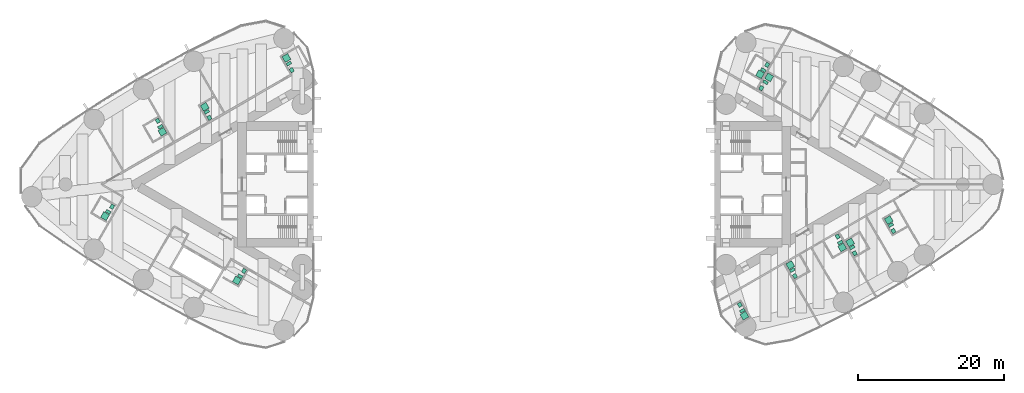
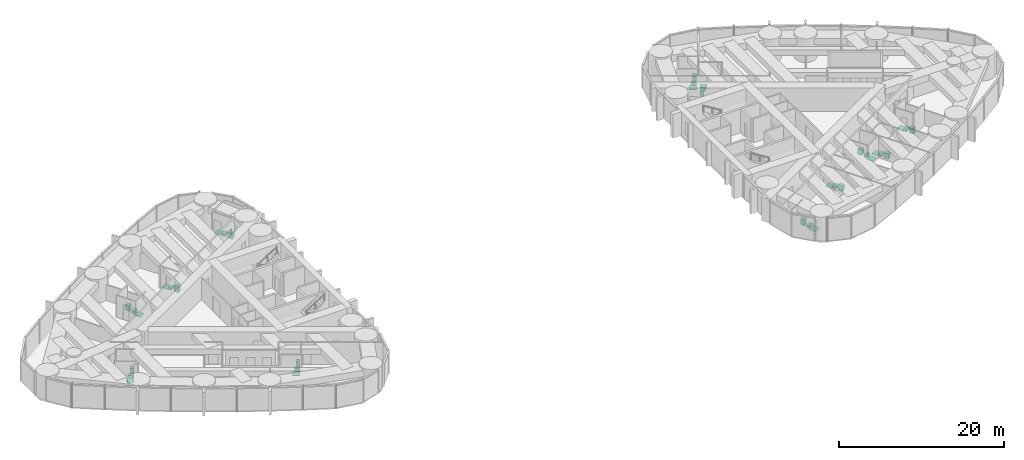
# One storey, part 19 of 19: 16 sanitary terminals.
"""IFC4 building model written with IfcOpenShell, lengths in metres."""

from ifc_helpers import new_model, si_unit, direction, frame, origin, origin_2d, place, context, subcontext, project, spatial, rectangle, extrude, material, type_object, element, save


model = new_model("IFC4")

# Units and contexts
model_context = context("Model", 3, precision=1e-05, world=origin(), true_north=direction((0.0, 1.0)))
body_context = subcontext(model_context, "Body", "Model", "MODEL_VIEW")
ifc_project = project(units=[si_unit("LENGTHUNIT", "METRE"), si_unit("AREAUNIT", "SQUARE_METRE"), si_unit("VOLUMEUNIT", "CUBIC_METRE"), si_unit("PLANEANGLEUNIT", "RADIAN"), si_unit("MASSUNIT", "GRAM", prefix="KILO")], contexts=[model_context])

# Site, building, storey
site_placement = place(None, origin())
site = spatial("IfcSite", under=ifc_project, at=site_placement, CompositionType="ELEMENT")
building_placement = place(site_placement, origin())
building = spatial("IfcBuilding", under=site, at=building_placement, Name="Lancet Gate Hotel", CompositionType="ELEMENT")
storey_placement = place(building_placement, frame((0.0, 0.0, 194.800048828125)))
storey = spatial("IfcBuildingStorey", under=building, at=storey_placement, Name="L52", CompositionType="ELEMENT", Elevation=194.800048828125)

# Sanitary terminals
ifc_material_1 = material(Name="Vitreous china sanitary ware")
sanitary_terminal_type_1 = type_object("IfcSanitaryTerminalType", Name="En-suite sanitary set (shower, WC, basin)", PredefinedType="USERDEFINED", material=ifc_material_1)
sanitary_terminal_1_placement = place(storey_placement, frame((-42.419189453125, 10.628662109375, 0.0), z_axis=(0.0, 0.0, 1.0), x_axis=(1.0, 0.0, 0.0)))
element("IfcSanitaryTerminal", 1, at=sanitary_terminal_1_placement, inside=storey, type_object=sanitary_terminal_type_1, Name="En-suite sanitary set (shower, WC, basin) 5202", ObjectType="EN-SUITE SANITARY SET", PredefinedType="USERDEFINED", context=body_context, shape_type="SweptSolid", body=[
    extrude(rectangle(XDim=0.89990234375, YDim=0.89990234375, at=origin_2d()), frame((0.0, 0.0, 0.0), z_axis=(0.0, 0.0, 1.0), x_axis=(-0.5, 0.866025403784, 0.0)), (0.0, 0.0, 1.0), 0.050048828125),
    extrude(rectangle(XDim=0.39990234375, YDim=0.699951171875, at=origin_2d()), frame((0.278564453125, -0.682373046875, 0.0), z_axis=(0.0, 0.0, 1.0), x_axis=(-0.5, 0.866025403784, 0.0)), (0.0, 0.0, 1.0), 0.39990234375),
    extrude(rectangle(XDim=0.60009765625, YDim=0.5, at=origin_2d()), frame((0.6318359375, -1.494384765625, 0.0), z_axis=(0.0, 0.0, 1.0), x_axis=(-0.5, 0.866025403784, 0.0)), (0.0, 0.0, 1.0), 0.85009765625),
])
sanitary_terminal_2_placement = place(storey_placement, frame((-48.222412109375, 7.208740234375, 0.0), z_axis=(0.0, 0.0, 1.0), x_axis=(1.0, 0.0, 0.0)))
element("IfcSanitaryTerminal", 2, at=sanitary_terminal_2_placement, inside=storey, type_object=sanitary_terminal_type_1, Name="En-suite sanitary set (shower, WC, basin) 5203", ObjectType="EN-SUITE SANITARY SET", PredefinedType="USERDEFINED", context=body_context, shape_type="SweptSolid", body=[
    extrude(rectangle(XDim=0.89990234375, YDim=0.89990234375, at=origin_2d()), frame((0.0, 0.0, 0.0), z_axis=(0.0, 0.0, 1.0), x_axis=(0.5, -0.866025403784, 0.0)), (0.0, 0.0, 1.0), 0.050048828125),
    extrude(rectangle(XDim=0.39990234375, YDim=0.699951171875, at=origin_2d()), frame((-0.2783203125, 0.68212890625, 0.0), z_axis=(0.0, 0.0, 1.0), x_axis=(0.5, -0.866025403784, 0.0)), (0.0, 0.0, 1.0), 0.39990234375),
    extrude(rectangle(XDim=0.60009765625, YDim=0.5, at=origin_2d()), frame((-0.6318359375, 1.494140625, 0.0), z_axis=(0.0, 0.0, 1.0), x_axis=(0.5, -0.866025403784, 0.0)), (0.0, 0.0, 1.0), 0.85009765625),
])
sanitary_terminal_3_placement = place(storey_placement, frame((-56.092041015625, -4.35107421875, 0.0), z_axis=(0.0, 0.0, 1.0), x_axis=(1.0, 0.0, 0.0)))
element("IfcSanitaryTerminal", 3, at=sanitary_terminal_3_placement, inside=storey, type_object=sanitary_terminal_type_1, Name="En-suite sanitary set (shower, WC, basin) 5205", ObjectType="EN-SUITE SANITARY SET", PredefinedType="USERDEFINED", context=body_context, shape_type="SweptSolid", body=[
    extrude(rectangle(XDim=0.89990234375, YDim=0.89990234375, at=origin_2d()), frame((0.0, 0.0, 0.0), z_axis=(0.0, 0.0, 1.0), x_axis=(-0.5, -0.866025403784, 0.0)), (0.0, 0.0, 1.0), 0.050048828125),
    extrude(rectangle(XDim=0.39990234375, YDim=0.699951171875, at=origin_2d()), frame((0.45166015625, 0.582275390625, 0.0), z_axis=(0.0, 0.0, 1.0), x_axis=(-0.5, -0.866025403784, 0.0)), (0.0, 0.0, 1.0), 0.39990234375),
    extrude(rectangle(XDim=0.60009765625, YDim=0.5, at=origin_2d()), frame((0.97802734375, 1.29443359375, 0.0), z_axis=(0.0, 0.0, 1.0), x_axis=(-0.5, -0.866025403784, 0.0)), (0.0, 0.0, 1.0), 0.85009765625),
])
sanitary_terminal_4_placement = place(storey_placement, frame((-38.01171875, -13.173095703125, 0.0), z_axis=(0.0, 0.0, 1.0), x_axis=(1.0, 0.0, 0.0)))
element("IfcSanitaryTerminal", 4, at=sanitary_terminal_4_placement, inside=storey, type_object=sanitary_terminal_type_1, Name="En-suite sanitary set (shower, WC, basin) 5208", ObjectType="EN-SUITE SANITARY SET", PredefinedType="USERDEFINED", context=body_context, shape_type="SweptSolid", body=[
    extrude(rectangle(XDim=0.89990234375, YDim=0.89990234375, at=origin_2d()), frame((0.0, 0.0, 0.0), z_axis=(0.0, 0.0, 1.0), x_axis=(-0.5, -0.866025403784, 0.0)), (0.0, 0.0, 1.0), 0.050048828125),
    extrude(rectangle(XDim=0.39990234375, YDim=0.699951171875, at=origin_2d()), frame((0.45166015625, 0.58203125, 0.0), z_axis=(0.0, 0.0, 1.0), x_axis=(-0.5, -0.866025403784, 0.0)), (0.0, 0.0, 1.0), 0.39990234375),
    extrude(rectangle(XDim=0.60009765625, YDim=0.5, at=origin_2d()), frame((0.978271484375, 1.294189453125, 0.0), z_axis=(0.0, 0.0, 1.0), x_axis=(-0.5, -0.866025403784, 0.0)), (0.0, 0.0, 1.0), 0.85009765625),
])
sanitary_terminal_5_placement = place(storey_placement, frame((31.569091796875, -18.00927734375, 0.0), z_axis=(0.0, 0.0, 1.0), x_axis=(1.0, 0.0, 0.0)))
element("IfcSanitaryTerminal", 5, at=sanitary_terminal_5_placement, inside=storey, type_object=sanitary_terminal_type_1, Name="En-suite sanitary set (shower, WC, basin) 5251", ObjectType="EN-SUITE SANITARY SET", PredefinedType="USERDEFINED", context=body_context, shape_type="SweptSolid", body=[
    extrude(rectangle(XDim=0.89990234375, YDim=0.89990234375, at=origin_2d()), frame((0.0, 0.0, 0.0), z_axis=(0.0, 0.0, 1.0), x_axis=(0.5, -0.866025403784, 0.0)), (0.0, 0.0, 1.0), 0.050048828125),
    extrude(rectangle(XDim=0.39990234375, YDim=0.699951171875, at=origin_2d()), frame((-0.2783203125, 0.68212890625, 0.0), z_axis=(0.0, 0.0, 1.0), x_axis=(0.5, -0.866025403784, 0.0)), (0.0, 0.0, 1.0), 0.39990234375),
    extrude(rectangle(XDim=0.60009765625, YDim=0.5, at=origin_2d()), frame((-0.6318359375, 1.494384765625, 0.0), z_axis=(0.0, 0.0, 1.0), x_axis=(0.5, -0.866025403784, 0.0)), (0.0, 0.0, 1.0), 0.85009765625),
])
sanitary_terminal_6_placement = place(storey_placement, frame((37.86572265625, -11.071533203125, 0.0), z_axis=(0.0, 0.0, 1.0), x_axis=(1.0, 0.0, 0.0)))
element("IfcSanitaryTerminal", 6, at=sanitary_terminal_6_placement, inside=storey, type_object=sanitary_terminal_type_1, Name="En-suite sanitary set (shower, WC, basin) 5253", ObjectType="EN-SUITE SANITARY SET", PredefinedType="USERDEFINED", context=body_context, shape_type="SweptSolid", body=[
    extrude(rectangle(XDim=0.89990234375, YDim=0.89990234375, at=origin_2d()), frame((0.0, 0.0, 0.0), z_axis=(0.0, 0.0, 1.0), x_axis=(-0.5, 0.866025403784, 0.0)), (0.0, 0.0, 1.0), 0.050048828125),
    extrude(rectangle(XDim=0.39990234375, YDim=0.699951171875, at=origin_2d()), frame((0.2783203125, -0.682373046875, 0.0), z_axis=(0.0, 0.0, 1.0), x_axis=(-0.5, 0.866025403784, 0.0)), (0.0, 0.0, 1.0), 0.39990234375),
    extrude(rectangle(XDim=0.60009765625, YDim=0.5, at=origin_2d()), frame((0.6318359375, -1.494384765625, 0.0), z_axis=(0.0, 0.0, 1.0), x_axis=(-0.5, 0.866025403784, 0.0)), (0.0, 0.0, 1.0), 0.85009765625),
])
sanitary_terminal_7_placement = place(storey_placement, frame((44.977783203125, -8.651123046875, 0.0), z_axis=(0.0, 0.0, 1.0), x_axis=(1.0, 0.0, 0.0)))
element("IfcSanitaryTerminal", 7, at=sanitary_terminal_7_placement, inside=storey, type_object=sanitary_terminal_type_1, Name="En-suite sanitary set (shower, WC, basin) 5254", ObjectType="EN-SUITE SANITARY SET", PredefinedType="USERDEFINED", context=body_context, shape_type="SweptSolid", body=[
    extrude(rectangle(XDim=0.89990234375, YDim=0.89990234375, at=origin_2d()), frame((0.0, 0.0, 0.0), z_axis=(0.0, 0.0, 1.0), x_axis=(0.5, -0.866025403784, 0.0)), (0.0, 0.0, 1.0), 0.050048828125),
    extrude(rectangle(XDim=0.39990234375, YDim=0.699951171875, at=origin_2d()), frame((-0.2783203125, 0.68212890625, 0.0), z_axis=(0.0, 0.0, 1.0), x_axis=(0.5, -0.866025403784, 0.0)), (0.0, 0.0, 1.0), 0.39990234375),
    extrude(rectangle(XDim=0.60009765625, YDim=0.5, at=origin_2d()), frame((-0.631591796875, 1.494140625, 0.0), z_axis=(0.0, 0.0, 1.0), x_axis=(0.5, -0.866025403784, 0.0)), (0.0, 0.0, 1.0), 0.85009765625),
])
sanitary_terminal_8_placement = place(storey_placement, frame((46.06494140625, -7.954345703125, 0.0), z_axis=(0.0, 0.0, 1.0), x_axis=(1.0, 0.0, 0.0)))
element("IfcSanitaryTerminal", 8, at=sanitary_terminal_8_placement, inside=storey, type_object=sanitary_terminal_type_1, Name="En-suite sanitary set (shower, WC, basin) 5255", ObjectType="EN-SUITE SANITARY SET", PredefinedType="USERDEFINED", context=body_context, shape_type="SweptSolid", body=[
    extrude(rectangle(XDim=0.89990234375, YDim=0.89990234375, at=origin_2d()), frame((0.0, 0.0, 0.0), z_axis=(0.0, 0.0, 1.0), x_axis=(-0.5, 0.866025403784, 0.0)), (0.0, 0.0, 1.0), 0.050048828125),
    extrude(rectangle(XDim=0.39990234375, YDim=0.699951171875, at=origin_2d()), frame((0.278564453125, -0.68212890625, 0.0), z_axis=(0.0, 0.0, 1.0), x_axis=(-0.5, 0.866025403784, 0.0)), (0.0, 0.0, 1.0), 0.39990234375),
    extrude(rectangle(XDim=0.60009765625, YDim=0.5, at=origin_2d()), frame((0.6318359375, -1.494140625, 0.0), z_axis=(0.0, 0.0, 1.0), x_axis=(-0.5, 0.866025403784, 0.0)), (0.0, 0.0, 1.0), 0.85009765625),
])
sanitary_terminal_9_placement = place(storey_placement, frame((51.360595703125, -4.89697265625, 0.0), z_axis=(0.0, 0.0, 1.0), x_axis=(1.0, 0.0, 0.0)))
element("IfcSanitaryTerminal", 9, at=sanitary_terminal_9_placement, inside=storey, type_object=sanitary_terminal_type_1, Name="En-suite sanitary set (shower, WC, basin) 5256", ObjectType="EN-SUITE SANITARY SET", PredefinedType="USERDEFINED", context=body_context, shape_type="SweptSolid", body=[
    extrude(rectangle(XDim=0.89990234375, YDim=0.89990234375, at=origin_2d()), frame((0.0, 0.0, 0.0), z_axis=(0.0, 0.0, 1.0), x_axis=(-0.5, 0.866025403784, 0.0)), (0.0, 0.0, 1.0), 0.050048828125),
    extrude(rectangle(XDim=0.39990234375, YDim=0.699951171875, at=origin_2d()), frame((0.2783203125, -0.68212890625, 0.0), z_axis=(0.0, 0.0, 1.0), x_axis=(-0.5, 0.866025403784, 0.0)), (0.0, 0.0, 1.0), 0.39990234375),
    extrude(rectangle(XDim=0.60009765625, YDim=0.5, at=origin_2d()), frame((0.631591796875, -1.494140625, 0.0), z_axis=(0.0, 0.0, 1.0), x_axis=(-0.5, 0.866025403784, 0.0)), (0.0, 0.0, 1.0), 0.85009765625),
])
sanitary_terminal_10_placement = place(storey_placement, frame((33.7099609375, 15.08740234375, 0.0), z_axis=(0.0, 0.0, 1.0), x_axis=(1.0, 0.0, 0.0)))
element("IfcSanitaryTerminal", 10, at=sanitary_terminal_10_placement, inside=storey, type_object=sanitary_terminal_type_1, Name="En-suite sanitary set (shower, WC, basin) 5264", ObjectType="EN-SUITE SANITARY SET", PredefinedType="USERDEFINED", context=body_context, shape_type="SweptSolid", body=[
    extrude(rectangle(XDim=0.89990234375, YDim=0.89990234375, at=origin_2d()), frame((0.0, 0.0, 0.0), z_axis=(0.0, 0.0, 1.0), x_axis=(-0.5, -0.866025403784, 0.0)), (0.0, 0.0, 1.0), 0.050048828125),
    extrude(rectangle(XDim=0.39990234375, YDim=0.699951171875, at=origin_2d()), frame((0.45166015625, 0.582275390625, 0.0), z_axis=(0.0, 0.0, 1.0), x_axis=(-0.5, -0.866025403784, 0.0)), (0.0, 0.0, 1.0), 0.39990234375),
    extrude(rectangle(XDim=0.60009765625, YDim=0.5, at=origin_2d()), frame((0.978271484375, 1.29443359375, 0.0), z_axis=(0.0, 0.0, 1.0), x_axis=(-0.5, -0.866025403784, 0.0)), (0.0, 0.0, 1.0), 0.85009765625),
])
ifc_material_2 = material(Name="Stone resin shower tray", Category="masonry")
sanitary_terminal_type_2 = type_object("IfcSanitaryTerminalType", Name="Shower tray 900", PredefinedType="SHOWER", material=ifc_material_2)
for number, where, z_axis, x_axis, name in (
    (11, (-31.216064453125, 17.327392578125, 0.0), (0.0, 0.0, 1.0), (-0.5, 0.866025403784, 0.0), "Shower tray 900 5201"),
    (12, (34.957275390625, 14.66748046875, 0.0), (0.0, 0.0, 1.0), (0.5, 0.866025403784, 0.0), "Shower tray 900 5262"),
):
    element("IfcSanitaryTerminal", number, at=place(storey_placement, frame(where, z_axis=z_axis, x_axis=x_axis)), inside=storey, type_object=sanitary_terminal_type_2, Name=name, PredefinedType="SHOWER", context=body_context, shape_type="SweptSolid", body=[
        extrude(rectangle(XDim=0.89990234375, YDim=0.89990234375, at=origin_2d()), origin(), (0.0, 0.0, 1.0), 0.050048828125),
    ])
ifc_material_3 = material(Name="Vitreous china sanitary ware")
sanitary_terminal_type_3 = type_object("IfcSanitaryTerminalType", Name="Vanity basin 600", PredefinedType="WASHHANDBASIN", material=ifc_material_3)
for number, where, z_axis, x_axis, name in (
    (13, (-30.484375, 15.659912109375, 0.0), (0.0, 0.0, 1.0), (-0.5, 0.866025403784, 0.0), "Vanity basin 600 5201"),
    (14, (33.87890625, 13.2001953125, 0.0), (0.0, 0.0, 1.0), (0.5, 0.866025403784, 0.0), "Vanity basin 600 5262"),
):
    element("IfcSanitaryTerminal", number, at=place(storey_placement, frame(where, z_axis=z_axis, x_axis=x_axis)), inside=storey, type_object=sanitary_terminal_type_3, Name=name, PredefinedType="WASHHANDBASIN", context=body_context, shape_type="SweptSolid", body=[
        extrude(rectangle(XDim=0.60009765625, YDim=0.5, at=origin_2d()), origin(), (0.0, 0.0, 1.0), 0.85009765625),
    ])
ifc_material_4 = material(Name="Vitreous china sanitary ware")
sanitary_terminal_type_4 = type_object("IfcSanitaryTerminalType", Name="WC pan wall hung", PredefinedType="TOILETPAN", material=ifc_material_4)
for number, where, z_axis, x_axis, name in (
    (15, (-30.8876953125, 16.55859375, 0.0), (0.0, 0.0, 1.0), (-0.5, 0.866025403784, 0.0), "WC pan wall hung 5201"),
    (16, (34.45556640625, 13.998779296875, 0.0), (0.0, 0.0, 1.0), (0.5, 0.866025403784, 0.0), "WC pan wall hung 5262"),
):
    element("IfcSanitaryTerminal", number, at=place(storey_placement, frame(where, z_axis=z_axis, x_axis=x_axis)), inside=storey, type_object=sanitary_terminal_type_4, Name=name, PredefinedType="TOILETPAN", context=body_context, shape_type="SweptSolid", body=[
        extrude(rectangle(XDim=0.39990234375, YDim=0.699951171875, at=origin_2d()), origin(), (0.0, 0.0, 1.0), 0.39990234375),
    ])

save(model, "model.ifc")
